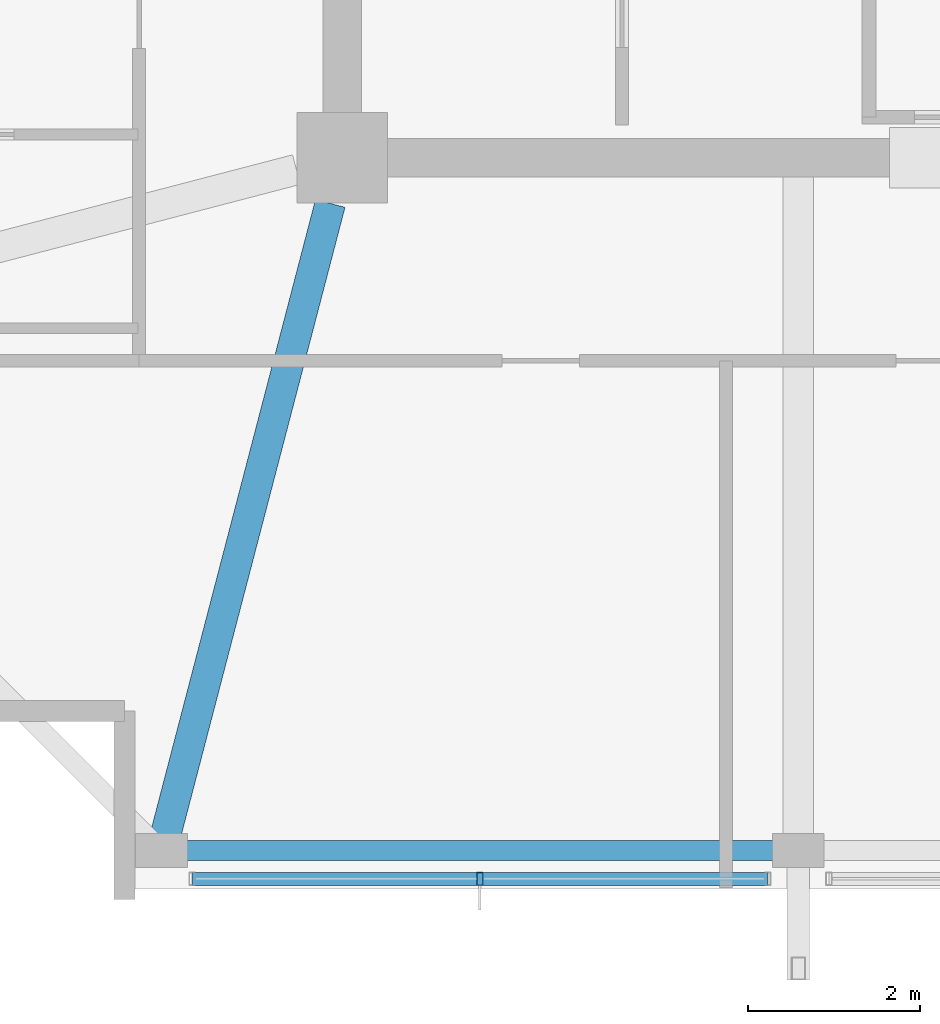
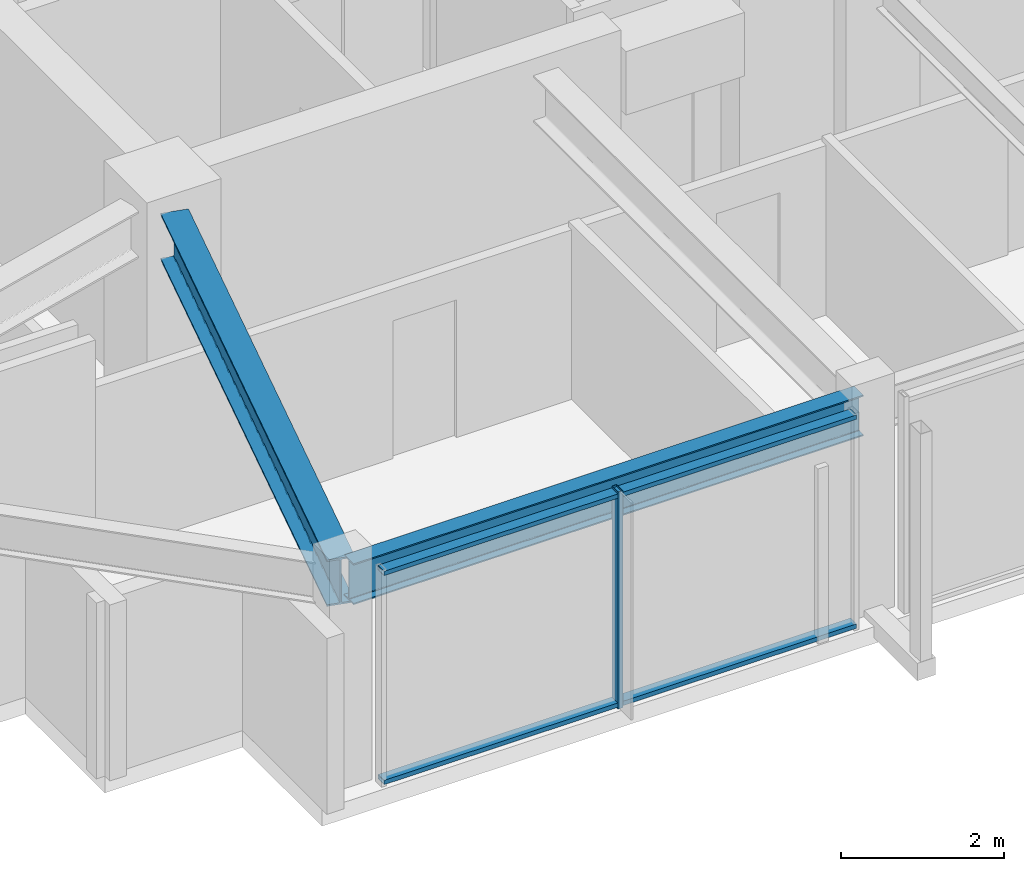
# One storey, part 3 of 31: 3 members, 2 beams, 1 element without a shape of its own.
"""IFC4 building model written with IfcOpenShell, lengths in metres."""

import ifcopenshell
import ifcopenshell.guid

model = None  # the IFC model being written
_history = None  # IfcOwnerHistory: only IFC2X3 demands one
_inside = {}  # id of a spatial element -> (the spatial element, [elements in it])
_under = {}  # id of a project, library or spatial element -> (it, [spatial elements below it])
_declared = {}  # id of a project -> (the project, [libraries it declares])
_typed = {}  # id of a type object -> (the type object, [elements of that type])
_made_of = {}  # id of a material, layer set ... -> (it, [elements and type objects made of it])


def new_model(schema):
    """Start an empty IFC model of exactly this schema.

    Asked for "IFC4X3", IfcOpenShell would pick the latest addendum, in which some entities
    have other attributes; the version numbers below select the first issue.
    IFC2X3 requires an IfcOwnerHistory on every rooted entity: one is made here for all.
    """
    global model, _history
    if schema == "IFC4X3":
        model = ifcopenshell.file(schema_version=(4, 3, 0, 0))
    else:
        model = ifcopenshell.file(schema=schema)
    _inside.clear()
    _under.clear()
    _declared.clear()
    _typed.clear()
    _made_of.clear()
    _history = None
    if model.schema == "IFC2X3":
        org = make("IfcOrganization", Name="unknown")
        user = make(
            "IfcPersonAndOrganization",
            ThePerson=make("IfcPerson", FamilyName="unknown"),
            TheOrganization=org,
        )
        app = make(
            "IfcApplication",
            ApplicationDeveloper=org,
            Version="unknown",
            ApplicationFullName="unknown",
            ApplicationIdentifier="unknown",
        )
        _history = make(
            "IfcOwnerHistory",
            OwningUser=user,
            OwningApplication=app,
            ChangeAction="ADDED",
            CreationDate=0,
        )
    return model


def make(cls, **values):
    """One entity of the class cls with the attributes given. An attribute that is None is left unset."""
    return model.create_entity(
        cls, **{name: value for name, value in values.items() if value is not None}
    )


def rooted(cls, **values):
    """An entity with a GlobalId (a new one), such as an element, a storey or a relation."""
    return make(cls, GlobalId=ifcopenshell.guid.new(), OwnerHistory=_history, **values)


def si_unit(unit_type, name, prefix=None):
    """IfcSIUnit, for example si_unit("LENGTHUNIT", "METRE", prefix="MILLI")."""
    return make("IfcSIUnit", UnitType=unit_type, Prefix=prefix, Name=name)


def assignment(units):
    """IfcUnitAssignment: the units of a project."""
    return None if units is None else make("IfcUnitAssignment", Units=units)


def point(xyz):
    """IfcCartesianPoint."""
    return None if xyz is None else make("IfcCartesianPoint", Coordinates=xyz)


def direction(xyz):
    """IfcDirection."""
    return None if xyz is None else make("IfcDirection", DirectionRatios=xyz)


def frame(location, z_axis=None, x_axis=None):
    """IfcAxis2Placement3D, a coordinate frame: its origin and axes. An axis left out is left unset."""
    return make(
        "IfcAxis2Placement3D",
        Location=point(location),
        Axis=direction(z_axis),
        RefDirection=direction(x_axis),
    )


def frame_2d(location, x_axis=None):
    """IfcAxis2Placement2D, a coordinate frame in the plane: its origin and x axis."""
    return make(
        "IfcAxis2Placement2D", Location=point(location), RefDirection=direction(x_axis)
    )


def origin():
    """The frame at (0, 0, 0) with its axes left unset."""
    return frame((0.0, 0.0, 0.0))


def origin_2d():
    """The frame at (0, 0) in the plane with its x axis left unset."""
    return frame_2d((0.0, 0.0))


def place(relative_to, where):
    """IfcLocalPlacement: puts the frame where relative to a parent placement (None: the world)."""
    return make(
        "IfcLocalPlacement", PlacementRelTo=relative_to, RelativePlacement=where
    )


def context(
    kind, dimensions, precision=None, world=None, true_north=None, identifier=None
):
    """IfcGeometricRepresentationContext, for example the 3D "Model" context."""
    return make(
        "IfcGeometricRepresentationContext",
        ContextIdentifier=identifier,
        ContextType=kind,
        CoordinateSpaceDimension=dimensions,
        Precision=precision,
        WorldCoordinateSystem=world,
        TrueNorth=true_north,
    )


def subcontext(parent, identifier, kind, view, scale=None):
    """IfcGeometricRepresentationSubContext, for example "Body" below "Model"."""
    return make(
        "IfcGeometricRepresentationSubContext",
        ContextIdentifier=identifier,
        ContextType=kind,
        ParentContext=parent,
        TargetScale=scale,
        TargetView=view,
    )


def project(units=None, contexts=None):
    """IfcProject with its units and contexts."""
    return rooted(
        "IfcProject",
        Name="project",
        RepresentationContexts=contexts,
        UnitsInContext=assignment(units),
    )


def spatial(cls, under=None, at=None, **own):
    """A site, building, storey or space (cls), placed at a placement, below another one or the project."""
    s = rooted(cls, ObjectPlacement=at, **own)
    if under is not None:
        _under.setdefault(under.id(), (under, []))[1].append(s)
    return s


def profile(cls, at=None, kind="AREA", **sizes):
    """A parametric profile (cls). Its sizes go by their IFC names, for example OverallWidth=200.0."""
    return make(cls, ProfileType=kind, Position=at, **sizes)


def hollow_rectangle(**sizes):
    """IfcRectangleHollowProfileDef."""
    return profile("IfcRectangleHollowProfileDef", **sizes)


def i_section(**sizes):
    """IfcIShapeProfileDef."""
    return profile("IfcIShapeProfileDef", **sizes)


def extrude(swept, where, along, depth):
    """IfcExtrudedAreaSolid: the profile swept, set in the frame where, extruded along a direction by depth."""
    return make(
        "IfcExtrudedAreaSolid",
        SweptArea=swept,
        Position=where,
        ExtrudedDirection=direction(along),
        Depth=depth,
    )


def shape(context_of_items, identifier, shape_type, items):
    """IfcShapeRepresentation: the items that make up one representation, for example the "Body"."""
    return make(
        "IfcShapeRepresentation",
        ContextOfItems=context_of_items,
        RepresentationIdentifier=identifier,
        RepresentationType=shape_type,
        Items=items,
    )


def material(Name=None, Category=None):
    """IfcMaterial."""
    return make("IfcMaterial", Name=Name, Category=Category)


def material_profile(
    of_material, cross_section, Name=None, Category=None, Priority=None
):
    """IfcMaterialProfile: a cross section and its material."""
    return make(
        "IfcMaterialProfile",
        Name=Name,
        Material=of_material,
        Profile=cross_section,
        Priority=Priority,
        Category=Category,
    )


def profile_set(profiles, Name=None, composite=None):
    """IfcMaterialProfileSet."""
    return make(
        "IfcMaterialProfileSet",
        Name=Name,
        MaterialProfiles=profiles,
        CompositeProfile=composite,
    )


def made_of(thing, what):
    """Note that an element or type object is made of a material, layer set ...; save() writes the relation."""
    if what is not None:
        _made_of.setdefault(what.id(), (what, []))[1].append(thing)
    return thing


def type_object(cls, material=None, **own):
    """A type object (cls), such as IfcWallType, which elements share."""
    return made_of(rooted(cls, **own), material)


def element(
    cls,
    number,
    at=None,
    inside=None,
    cuts=None,
    type_object=None,
    material=None,
    context=None,
    identifier="Body",
    shape_type=None,
    held_by="IfcProductDefinitionShape",
    body=None,
    shapes=None,
    **own,
):
    """One element of the class cls, such as IfcWall. Its Tag is "e" and its number.

    at: its placement. inside: the storey or other place that contains it. cuts: it is an
    opening in that element (IfcRelVoidsElement). A single representation is given by context,
    identifier, shape_type and body (its items); several are given by shapes. held_by: the class
    of the entity that holds the representations. save() writes the other relations.
    """
    e = rooted(cls, Tag="e%d" % number, ObjectPlacement=at, **own)
    if body is not None:
        shapes = [shape(context, identifier, shape_type, body)]
    if shapes is not None:
        e.Representation = make(held_by, Representations=shapes)
    if inside is not None:
        _inside.setdefault(inside.id(), (inside, []))[1].append(e)
    if cuts is not None:
        rooted(
            "IfcRelVoidsElement", RelatingBuildingElement=cuts, RelatedOpeningElement=e
        )
    if type_object is not None:
        _typed.setdefault(type_object.id(), (type_object, []))[1].append(e)
    return made_of(e, material)


def aggregate(whole, parts):
    """IfcRelAggregates: a whole, such as a stair, and the parts it consists of."""
    return rooted("IfcRelAggregates", RelatingObject=whole, RelatedObjects=parts)


def save(model, path):
    """Write the relations noted so far, then the file.

    IfcRelAggregates (storeys below a building ...), IfcRelContainedInSpatialStructure (elements
    in a storey), IfcRelDefinesByType, IfcRelAssociatesMaterial and IfcRelDeclares: one each for
    every whole, place, type object, material and project.
    """
    for whole, parts in _under.values():
        aggregate(whole, parts)
    for where, things in _inside.values():
        rooted(
            "IfcRelContainedInSpatialStructure",
            RelatedElements=things,
            RelatingStructure=where,
        )
    for kind, things in _typed.values():
        rooted("IfcRelDefinesByType", RelatedObjects=things, RelatingType=kind)
    for what, things in _made_of.values():
        rooted("IfcRelAssociatesMaterial", RelatedObjects=things, RelatingMaterial=what)
    for by, libraries in _declared.values():
        rooted("IfcRelDeclares", RelatingContext=by, RelatedDefinitions=libraries)
    model.write(path)


model = new_model("IFC4")

# Units and contexts
model_context = context("Model", 3, precision=1e-05, world=origin(), true_north=direction((0.0, 1.0)))
body_context = subcontext(model_context, "Body", "Model", "MODEL_VIEW")
ifc_project = project(units=[si_unit("LENGTHUNIT", "METRE"), si_unit("AREAUNIT", "SQUARE_METRE"), si_unit("VOLUMEUNIT", "CUBIC_METRE"), si_unit("PLANEANGLEUNIT", "RADIAN"), si_unit("MASSUNIT", "GRAM", prefix="KILO")], contexts=[model_context])

# Site, building, storey
site_placement = place(None, origin())
site = spatial("IfcSite", under=ifc_project, at=site_placement, CompositionType="ELEMENT")
building_placement = place(site_placement, origin())
building = spatial("IfcBuilding", under=site, at=building_placement, Name="Kolvaren Belvedere", CompositionType="ELEMENT")
storey_placement = place(building_placement, frame((0.0, 0.0, 251.39990234375)))
storey = spatial("IfcBuildingStorey", under=building, at=storey_placement, Name="L73", CompositionType="ELEMENT", Elevation=251.39990234375)

# Beams
ifc_material_1 = material(Name="Structural steel ASTM A992 Grade 50", Category="steel")
ifc_material_profile_1 = material_profile(ifc_material_1, i_section(OverallWidth=0.35498046875, OverallDepth=0.696044921875, WebThickness=0.015380859375, FlangeThickness=0.02490234375, FilletRadius=0.02197265625, at=origin_2d()), Name="W27X146")
ifc_profile_set_1 = profile_set([ifc_material_profile_1], Name="Structural steel ASTM A992 Grade 50")
beam_type_1 = type_object("IfcBeamType", Name="BM-GIRD-W27X146", PredefinedType="BEAM", material=ifc_profile_set_1)
beam_1_placement = place(storey_placement, frame((-10.038818359375, -10.43212890625, 2.902099609375), z_axis=(-0.252414142221, -0.967619295388, 0.0), x_axis=(0.967619295388, -0.252414142221, 0.0)))
element("IfcBeam", 1, at=beam_1_placement, inside=storey, type_object=beam_type_1, Name="L73 Corner Core-to-Perimeter Girder CC1-S1", PredefinedType="BEAM", context=body_context, shape_type="SweptSolid", body=[
    extrude(i_section(OverallWidth=0.35498046875, OverallDepth=0.696044921875, WebThickness=0.015380859375, FlangeThickness=0.02490234375, FilletRadius=0.02197265625, at=origin_2d()), origin(), (0.0, 0.0, 1.0), 7.689453125),
])
ifc_material_2 = material(Name="Structural steel ASTM A992 Grade 50", Category="steel")
ifc_material_profile_2 = material_profile(ifc_material_2, i_section(OverallWidth=0.22900390625, OverallDepth=0.612060546875, WebThickness=0.011962890625, FlangeThickness=0.01953125, FilletRadius=0.01806640625, at=origin_2d()), Name="W24X84")
ifc_profile_set_2 = profile_set([ifc_material_profile_2], Name="Structural steel ASTM A992 Grade 50")
beam_type_2 = type_object("IfcBeamType", Name="BM-SPAN-W24X84", PredefinedType="SPANDREL", material=ifc_profile_set_2)
beam_2_placement = place(storey_placement, frame((-11.909912109375, -17.949951171875, 2.944091796875), z_axis=(1.0, 0.0, 0.0), x_axis=(0.0, 1.0, 0.0)))
element("IfcBeam", 2, at=beam_2_placement, inside=storey, type_object=beam_type_2, Name="L73 Perimeter Spandrel S1-S2", PredefinedType="SPANDREL", context=body_context, shape_type="SweptSolid", body=[
    extrude(i_section(OverallWidth=0.22900390625, OverallDepth=0.612060546875, WebThickness=0.011962890625, FlangeThickness=0.01953125, FilletRadius=0.01806640625, at=origin_2d()), origin(), (0.0, 0.0, 1.0), 7.219970703125),
])

# Curtain wall, members
ifc_material_3 = material(Name="Anodised pale-metal aluminium AA 6063-T6", Category="aluminium")
curtain_wall_type = type_object("IfcCurtainWallType", Name="CW-Z5-HIGH", PredefinedType="NOTDEFINED", material=ifc_material_3)
curtain_wall_placement = place(storey_placement, origin())
curtain_wall = element("IfcCurtainWall", 3, at=curtain_wall_placement, inside=storey, type_object=curtain_wall_type, Name="L73 Unitised Curtain Wall FCW-L73-S-B3", PredefinedType="NOTDEFINED")
ifc_material_4 = material(Name="Anodised pale-metal aluminium AA 6063-T6", Category="aluminium")
ifc_material_profile_3 = material_profile(ifc_material_4, hollow_rectangle(XDim=0.070068359375, YDim=0.14990234375, WallThickness=0.004150390625, at=origin_2d()), Name="ALU-MUL-150X70")
ifc_profile_set_3 = profile_set([ifc_material_profile_3], Name="Anodised pale-metal aluminium AA 6063-T6")
member_type_1 = type_object("IfcMemberType", Name="CW-MUL-150", PredefinedType="MULLION", material=ifc_profile_set_3)
member_1_placement = place(storey_placement, frame((-8.300048828125, -18.280029296875, 0.0), z_axis=(0.0, 0.0, 1.0), x_axis=(1.0, 0.0, 0.0)))
member_1 = element("IfcMember", 4, at=member_1_placement, type_object=member_type_1, Name="FCW-L73-S-B3 Unitised Mullion 2", PredefinedType="MULLION", context=body_context, shape_type="SweptSolid", body=[
    extrude(hollow_rectangle(XDim=0.070068359375, YDim=0.14990234375, WallThickness=0.004150390625, at=origin_2d()), origin(), (0.0, 0.0, 1.0), 3.25),
])
ifc_material_5 = material(Name="Anodised pale-metal aluminium AA 6063-T6", Category="aluminium")
ifc_material_profile_4 = material_profile(ifc_material_5, hollow_rectangle(XDim=0.06494140625, YDim=0.14990234375, WallThickness=0.00390625, at=origin_2d()), Name="ALU-TRN-150X65")
ifc_profile_set_4 = profile_set([ifc_material_profile_4], Name="Anodised pale-metal aluminium AA 6063-T6")
member_type_2 = type_object("IfcMemberType", Name="CW-TRN-150", PredefinedType="USERDEFINED", material=ifc_profile_set_4)
member_2_placement = place(storey_placement, frame((-4.955078125, -18.280029296875, 0.06005859375), z_axis=(-1.0, 0.0, 0.0), x_axis=(0.0, 0.0, 1.0)))
member_2 = element("IfcMember", 5, at=member_2_placement, type_object=member_type_2, Name="FCW-L73-S-B3 Sill Transom", ObjectType="TRANSOM", PredefinedType="USERDEFINED", context=body_context, shape_type="SweptSolid", body=[
    extrude(hollow_rectangle(XDim=0.06494140625, YDim=0.14990234375, WallThickness=0.00390625, at=origin_2d()), origin(), (0.0, 0.0, 1.0), 6.68994140625),
])
member_3_placement = place(storey_placement, frame((-4.955078125, -18.280029296875, 3.190185546875), z_axis=(-1.0, 0.0, 0.0), x_axis=(0.0, 0.0, 1.0)))
member_3 = element("IfcMember", 6, at=member_3_placement, type_object=member_type_2, Name="FCW-L73-S-B3 Head Transom", ObjectType="TRANSOM", PredefinedType="USERDEFINED", context=body_context, shape_type="SweptSolid", body=[
    extrude(hollow_rectangle(XDim=0.06494140625, YDim=0.14990234375, WallThickness=0.00390625, at=origin_2d()), origin(), (0.0, 0.0, 1.0), 6.68994140625),
])
aggregate(curtain_wall, [member_1, member_2, member_3])

save(model, "model.ifc")
